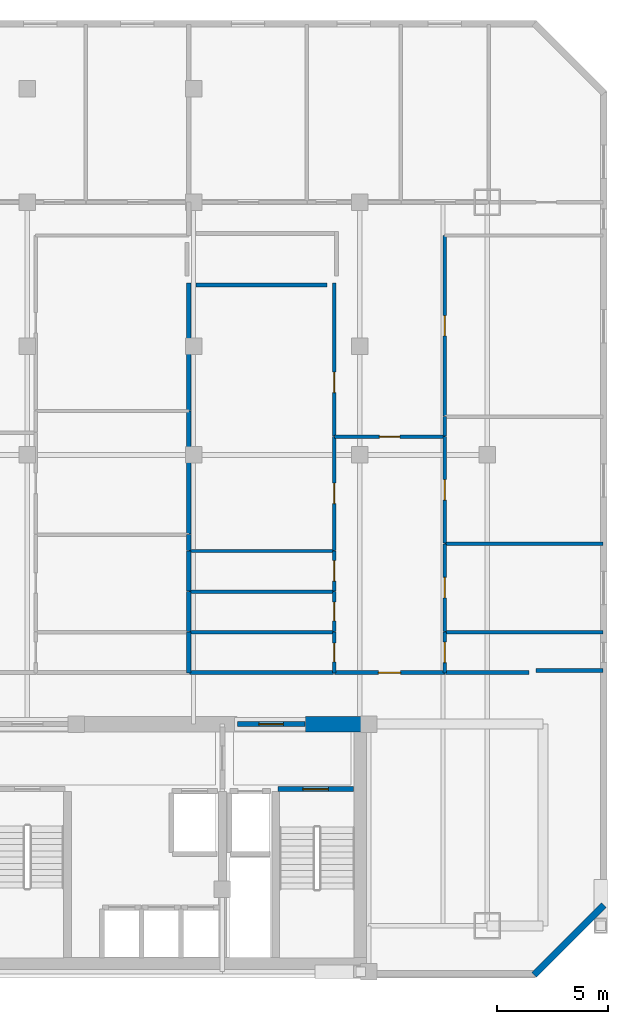
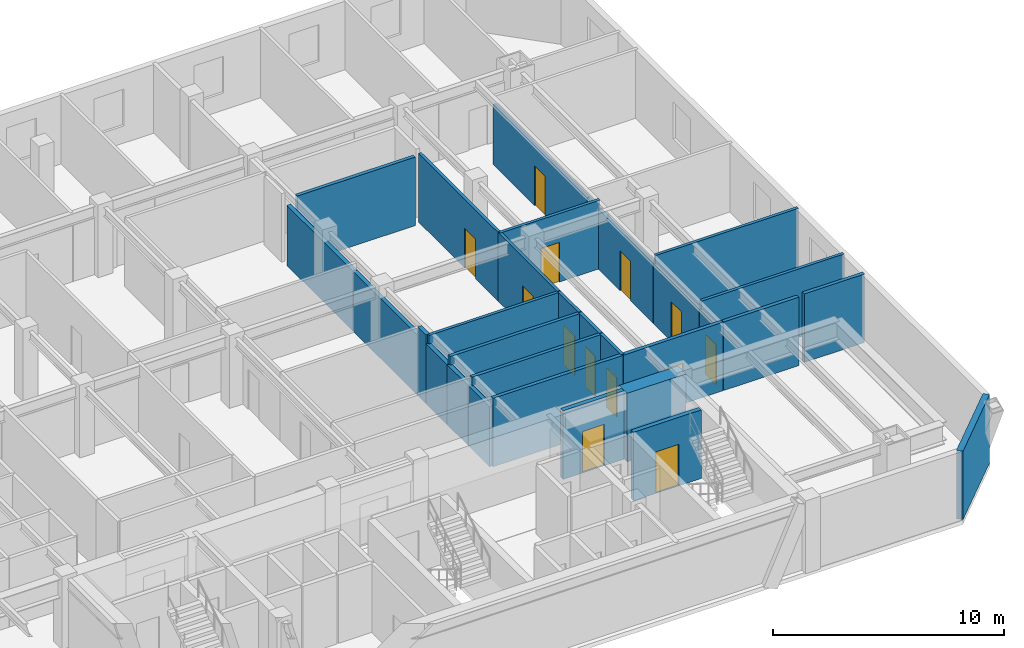
# One storey, part 5 of 9: 31 walls, 13 doors, 13 openings.
"""IFC4 building model written with IfcOpenShell, lengths in metres."""

from ifc_helpers import new_model, si_unit, direction, frame, frame_2d, origin, place, context, subcontext, project, spatial, rectangle, extrude, material, layer, layer_set, type_object, element, fill, save


model = new_model("IFC4")

# Units and contexts
model_context = context("Model", 3, precision=1e-05, world=origin(), true_north=direction((0.0, 1.0)))
body_context = subcontext(model_context, "Body", "Model", "MODEL_VIEW")
ifc_project = project(units=[si_unit("LENGTHUNIT", "METRE"), si_unit("AREAUNIT", "SQUARE_METRE"), si_unit("VOLUMEUNIT", "CUBIC_METRE"), si_unit("PLANEANGLEUNIT", "RADIAN"), si_unit("MASSUNIT", "GRAM", prefix="KILO")], contexts=[model_context])

# Site, building, storey
site_placement = place(None, origin())
site = spatial("IfcSite", under=ifc_project, at=site_placement, CompositionType="ELEMENT")
building_placement = place(site_placement, origin())
building = spatial("IfcBuilding", under=site, at=building_placement, Name="Ventersveld Concourse Tower", CompositionType="ELEMENT")
storey_placement = place(building_placement, frame((0.0, 0.0, 152.89990234375)))
storey = spatial("IfcBuildingStorey", under=building, at=storey_placement, Name="L37", CompositionType="ELEMENT", Elevation=152.89990234375)

# Wall
ifc_material_1 = material(Name="Concrete C60/75", Category="concrete")
ifc_layer_1 = layer(ifc_material_1, 0.699951171875)
ifc_layer_set_1 = layer_set([ifc_layer_1], Name="Concrete C60/75")
wall_type_1 = type_object("IfcWallType", Name="WL-CORE-700", PredefinedType="SHEAR", material=ifc_layer_set_1)
wall_1_placement = place(storey_placement, frame((41.300048828125, 11.449951171875, 0.0), z_axis=(0.0, 0.0, 1.0), x_axis=(1.0, 0.0, 0.0)))
element("IfcWall", 1, at=wall_1_placement, inside=storey, type_object=wall_type_1, Name="L37 Rear Core North Shear Wall NE", PredefinedType="SHEAR", context=body_context, shape_type="SweptSolid", body=[
    extrude(rectangle(XDim=2.949951171875, YDim=0.699951171875, at=frame_2d((1.47509765625, 0.0))), origin(), (0.0, 0.0, 1.0), 3.630126953125),
])

# Wall, opening, door
ifc_material_2 = material(Name="Fire-rated autoclaved aerated masonry blockwork", Category="masonry")
ifc_layer_2 = layer(ifc_material_2, 0.179931640625)
ifc_layer_set_2 = layer_set([ifc_layer_2], Name="Fire-rated autoclaved aerated masonry blockwork")
wall_type_2 = type_object("IfcWallType", Name="WL-CORR-180", PredefinedType="PARTITIONING", material=ifc_layer_set_2)
wall_2_placement = place(storey_placement, frame((42.598388671875, 13.77001953125, 0.0), z_axis=(0.0, 0.0, 1.0), x_axis=(1.0, 0.0, 0.0)))
wall_2 = element("IfcWall", 2, at=wall_2_placement, inside=storey, type_object=wall_type_2, Name="L37 Interior Partition SP-L37-COR-SP-L37-37N2-FOY", PredefinedType="PARTITIONING", context=body_context, shape_type="SweptSolid", body=[
    extrude(rectangle(XDim=4.989990234375, YDim=0.179931640625, at=frame_2d((2.4951171875, 0.0))), origin(), (0.0, 0.0, 1.0), 3.630126953125),
])
opening_1_placement = place(wall_2_placement, frame((1.9951171875, 0.0, 0.0)))
opening_1 = element("IfcOpeningElement", 3, at=opening_1_placement, cuts=wall_2, Name="Opening FD3", PredefinedType="OPENING", context=body_context, shape_type="SweptSolid", body=[
    extrude(rectangle(XDim=1.0, YDim=2.14990234375, at=frame_2d((0.5, 1.074951171875))), frame((0.0, 0.10009765625, 0.0), z_axis=(0.0, -1.0, 0.0), x_axis=(1.0, 0.0, 0.0)), (0.0, 0.0, 1.0), 0.199951171875),
])
ifc_material_3 = material(Name="Solid-core hardwood veneer timber", Category="wood")
door_type_1 = type_object("IfcDoorType", Name="DR-FLAT-100", OperationType="NOTDEFINED", PredefinedType="DOOR", material=ifc_material_3)
door_1_placement = place(opening_1_placement, origin())
door_1 = element("IfcDoor", 4, at=door_1_placement, inside=storey, type_object=door_type_1, Name="L37 Interior Door SP-L37-COR to SP-L37-37N2-FOY (FD-L37-1812)", OperationType="SINGLE_SWING_RIGHT", OverallHeight=2.14990234375, OverallWidth=1.0, PredefinedType="DOOR", context=body_context, shape_type="SweptSolid", body=[
    extrude(rectangle(XDim=1.0, YDim=2.14990234375, at=frame_2d((0.5, 1.074951171875))), frame((0.0, 0.02490234375, 0.0), z_axis=(0.0, -1.0, 0.0), x_axis=(1.0, 0.0, 0.0)), (0.0, 0.0, 1.0), 0.050048828125),
])
fill(opening_1, door_1)

# Walls
wall_3_placement = place(storey_placement, frame((36.077392578125, 13.77001953125, 0.0), z_axis=(0.0, 0.0, 1.0), x_axis=(1.0, 0.0, 0.0)))
element("IfcWall", 5, at=wall_3_placement, inside=storey, type_object=wall_type_2, Name="L37 Interior Partition SP-L37-COR-SP-L37-37N2-BATH", PredefinedType="PARTITIONING", context=body_context, shape_type="SweptSolid", body=[
    extrude(rectangle(XDim=6.490966796875, YDim=0.179931640625, at=frame_2d((3.24560546875, 0.0))), origin(), (0.0, 0.0, 1.0), 3.630126953125),
])
wall_4_placement = place(storey_placement, frame((47.618408203125, 13.77001953125, 0.0), z_axis=(0.0, 0.0, 1.0), x_axis=(1.0, 0.0, 0.0)))
element("IfcWall", 6, at=wall_4_placement, inside=storey, type_object=wall_type_2, Name="L37 Interior Partition SP-L37-COR-SP-L37-37N2-KIT", PredefinedType="PARTITIONING", context=body_context, shape_type="SweptSolid", body=[
    extrude(rectangle(XDim=3.776611328125, YDim=0.179931640625, at=frame_2d((1.88818359375, 0.0))), origin(), (0.0, 0.0, 1.0), 3.630126953125),
])
wall_5_placement = place(storey_placement, frame((36.3671875, 31.260498046875, 0.0), z_axis=(0.0, 0.0, 1.0), x_axis=(1.0, 0.0, 0.0)))
element("IfcWall", 7, at=wall_5_placement, inside=storey, type_object=wall_type_2, Name="L37 Room Enclosure Wall SP-L37-37N2-DENL", PredefinedType="PARTITIONING", context=body_context, shape_type="SweptSolid", body=[
    extrude(rectangle(XDim=5.9111328125, YDim=0.179931640625, at=frame_2d((2.95556640625, 0.0))), origin(), (0.0, 0.0, 1.0), 3.630126953125),
])
wall_6_placement = place(storey_placement, frame((54.7275390625, 13.860107421875, 0.0), z_axis=(0.0, 0.0, 1.0), x_axis=(-1.0, 0.0, 0.0)))
element("IfcWall", 8, at=wall_6_placement, inside=storey, type_object=wall_type_2, Name="L37 Room Enclosure Wall SP-L37-37N2-KIT", PredefinedType="PARTITIONING", context=body_context, shape_type="SweptSolid", body=[
    extrude(rectangle(XDim=3.017578125, YDim=0.179931640625, at=frame_2d((1.5087890625, 0.0))), origin(), (0.0, 0.0, 1.0), 3.630126953125),
])
ifc_layer_3 = layer(ifc_material_2, 0.199951171875)
ifc_layer_set_3 = layer_set([ifc_layer_3], Name="Fire-rated autoclaved aerated masonry blockwork")
wall_type_3 = type_object("IfcWallType", Name="WL-DEMISE-200", PredefinedType="PARTITIONING", material=ifc_layer_set_3)
wall_7_placement = place(storey_placement, frame((36.042236328125, 13.764892578125, 0.0), z_axis=(0.0, 0.0, 1.0), x_axis=(0.0, 1.0, 0.0)))
element("IfcWall", 9, at=wall_7_placement, inside=storey, type_object=wall_type_3, Name="L37 Interior Partition SP-L37-37N1-KIT-SP-L37-37N2-BATH", PredefinedType="PARTITIONING", context=body_context, shape_type="SweptSolid", body=[
    extrude(rectangle(XDim=1.840087890625, YDim=0.199951171875, at=frame_2d((0.919921875, 0.0))), origin(), (0.0, 0.0, 1.0), 3.1767578125),
])
wall_8_placement = place(storey_placement, frame((36.042236328125, 15.635009765625, 0.0), z_axis=(0.0, 0.0, 1.0), x_axis=(0.0, 1.0, 0.0)))
element("IfcWall", 10, at=wall_8_placement, inside=storey, type_object=wall_type_3, Name="L37 Interior Partition SP-L37-37N1-MEDR1-SP-L37-37N2-PWDL2", PredefinedType="PARTITIONING", context=body_context, shape_type="SweptSolid", body=[
    extrude(rectangle(XDim=1.800048828125, YDim=0.199951171875, at=frame_2d((0.89990234375, 0.0))), origin(), (0.0, 0.0, 1.0), 3.1767578125),
])
wall_9_placement = place(storey_placement, frame((36.042236328125, 17.465087890625, 0.0), z_axis=(0.0, 0.0, 1.0), x_axis=(0.0, 1.0, 0.0)))
element("IfcWall", 11, at=wall_9_placement, inside=storey, type_object=wall_type_3, Name="L37 Interior Partition SP-L37-37N1-MEDR1-SP-L37-37N2-PANL0", PredefinedType="PARTITIONING", context=body_context, shape_type="SweptSolid", body=[
    extrude(rectangle(XDim=1.7998046875, YDim=0.199951171875, at=frame_2d((0.89990234375, 0.0))), origin(), (0.0, 0.0, 1.0), 3.1767578125),
])
wall_10_placement = place(storey_placement, frame((36.042236328125, 19.294921875, 0.0), z_axis=(0.0, 0.0, 1.0), x_axis=(0.0, 1.0, 0.0)))
element("IfcWall", 12, at=wall_10_placement, inside=storey, type_object=wall_type_3, Name="L37 Interior Partition SP-L37-37N1-MEDR1-SP-L37-37N2-DENL", PredefinedType="PARTITIONING", context=body_context, shape_type="SweptSolid", body=[
    extrude(rectangle(XDim=0.706298828125, YDim=0.199951171875, at=frame_2d((0.35302734375, 0.0))), origin(), (0.0, 0.0, 1.0), 3.630126953125),
])
wall_11_placement = place(storey_placement, frame((36.042236328125, 20.03125, 0.0), z_axis=(0.0, 0.0, 1.0), x_axis=(0.0, 1.0, 0.0)))
element("IfcWall", 13, at=wall_11_placement, inside=storey, type_object=wall_type_3, Name="L37 Interior Partition SP-L37-37N1-DENS-SP-L37-37N2-DENL", PredefinedType="PARTITIONING", context=body_context, shape_type="SweptSolid", body=[
    extrude(rectangle(XDim=5.55029296875, YDim=0.199951171875, at=frame_2d((2.775146484375, 0.0))), origin(), (0.0, 0.0, 1.0), 3.1767578125),
])
wall_12_placement = place(storey_placement, frame((36.042236328125, 25.611572265625, 0.0), z_axis=(0.0, 0.0, 1.0), x_axis=(0.0, 1.0, 0.0)))
element("IfcWall", 14, at=wall_12_placement, inside=storey, type_object=wall_type_3, Name="L37 Interior Partition SP-L37-37N1-DENS2-SP-L37-37N2-DENL", PredefinedType="PARTITIONING", context=body_context, shape_type="SweptSolid", body=[
    extrude(rectangle(XDim=5.743896484375, YDim=0.199951171875, at=frame_2d((2.8720703125, 0.0))), origin(), (0.0, 0.0, 1.0), 3.1767578125),
])

# Wall, opening, door
ifc_layer_4 = layer(ifc_material_2, 0.219970703125)
ifc_layer_set_4 = layer_set([ifc_layer_4], Name="Fire-rated autoclaved aerated masonry blockwork")
wall_type_4 = type_object("IfcWallType", Name="WL-HOIST-220", PredefinedType="SOLIDWALL", material=ifc_layer_set_4)
wall_13_placement = place(storey_placement, frame((40.06005859375, 8.52001953125, 0.0), z_axis=(0.0, 0.0, 1.0), x_axis=(1.0, 0.0, 0.0)))
wall_13 = element("IfcWall", 15, at=wall_13_placement, inside=storey, type_object=wall_type_4, Name="L37 Escape Stair ST02 Fire Wall", PredefinedType="SOLIDWALL", context=body_context, shape_type="SweptSolid", body=[
    extrude(rectangle(XDim=3.39990234375, YDim=0.219970703125, at=frame_2d((1.699951171875, 0.0))), origin(), (0.0, 0.0, 1.0), 3.630126953125),
])
opening_2_placement = place(wall_13_placement, frame((1.125, 0.0, 0.0)))
opening_2 = element("IfcOpeningElement", 16, at=opening_2_placement, cuts=wall_13, Name="Opening FD1", PredefinedType="OPENING", context=body_context, shape_type="SweptSolid", body=[
    extrude(rectangle(XDim=1.14990234375, YDim=2.199951171875, at=frame_2d((0.574951171875, 1.10009765625))), frame((0.0, 0.1201171875, 0.0), z_axis=(0.0, -1.0, 0.0), x_axis=(1.0, 0.0, 0.0)), (0.0, 0.0, 1.0), 0.239990234375),
])
ifc_material_4 = material(Name="Galvanised painted steel", Category="steel")
door_type_2 = type_object("IfcDoorType", Name="DR-STAIR-115", OperationType="NOTDEFINED", PredefinedType="DOOR", material=ifc_material_4)
door_2_placement = place(opening_2_placement, origin())
door_2 = element("IfcDoor", 17, at=door_2_placement, inside=storey, type_object=door_type_2, Name="L37 Escape Stair Door ST02 (SD-L37-1802)", OperationType="SINGLE_SWING_RIGHT", OverallHeight=2.199951171875, OverallWidth=1.14990234375, PredefinedType="DOOR", context=body_context, shape_type="SweptSolid", body=[
    extrude(rectangle(XDim=1.14990234375, YDim=2.199951171875, at=frame_2d((0.574951171875, 1.10009765625))), frame((0.0, 0.02490234375, 0.0), z_axis=(0.0, -1.0, 0.0), x_axis=(1.0, 0.0, 0.0)), (0.0, 0.0, 1.0), 0.050048828125),
])
fill(opening_2, door_2)

wall_14_placement = place(storey_placement, frame((38.22998046875, 11.449951171875, 0.0), z_axis=(0.0, 0.0, 1.0), x_axis=(1.0, 0.0, 0.0)))
wall_14 = element("IfcWall", 18, at=wall_14_placement, inside=storey, type_object=wall_type_4, Name="L37 Core North Fire Portal FFLE-OUT", PredefinedType="SOLIDWALL", context=body_context, shape_type="SweptSolid", body=[
    extrude(rectangle(XDim=3.0400390625, YDim=0.219970703125, at=frame_2d((1.52001953125, 0.0))), origin(), (0.0, 0.0, 1.0), 3.630126953125),
])
opening_3_placement = place(wall_14_placement, frame((0.969970703125, 0.0, 0.0)))
opening_3 = element("IfcOpeningElement", 19, at=opening_3_placement, cuts=wall_14, Name="Opening FD2", PredefinedType="OPENING", context=body_context, shape_type="SweptSolid", body=[
    extrude(rectangle(XDim=1.10009765625, YDim=2.199951171875, at=frame_2d((0.550048828125, 1.10009765625))), frame((0.0, 0.1201171875, 0.0), z_axis=(0.0, -1.0, 0.0), x_axis=(1.0, 0.0, 0.0)), (0.0, 0.0, 1.0), 0.239990234375),
])
door_type_3 = type_object("IfcDoorType", Name="DR-FFL-110", OperationType="NOTDEFINED", PredefinedType="DOOR", material=ifc_material_4)
door_3_placement = place(opening_3_placement, origin())
door_3 = element("IfcDoor", 20, at=door_3_placement, inside=storey, type_object=door_type_3, Name="L37 Core Lobby Fire Door FFLE-OUT (FD-L37-1808)", OperationType="SINGLE_SWING_LEFT", OverallHeight=2.199951171875, OverallWidth=1.10009765625, PredefinedType="DOOR", context=body_context, shape_type="SweptSolid", body=[
    extrude(rectangle(XDim=1.10009765625, YDim=2.199951171875, at=frame_2d((0.550048828125, 1.10009765625))), frame((0.0, 0.02490234375, 0.0), z_axis=(0.0, -1.0, 0.0), x_axis=(1.0, 0.0, 0.0)), (0.0, 0.0, 1.0), 0.050048828125),
])
fill(opening_3, door_3)

ifc_material_5 = material(Name="Autoclaved aerated masonry blockwork", Category="masonry")
ifc_layer_5 = layer(ifc_material_5, 0.14990234375)
ifc_layer_set_5 = layer_set([ifc_layer_5], Name="Autoclaved aerated masonry blockwork")
wall_type_5 = type_object("IfcWallType", Name="WL-INT-150", PredefinedType="PARTITIONING", material=ifc_layer_set_5)
wall_15_placement = place(storey_placement, frame((42.598388671875, 24.42138671875, 0.0), z_axis=(0.0, 0.0, 1.0), x_axis=(1.0, 0.0, 0.0)))
wall_15 = element("IfcWall", 21, at=wall_15_placement, inside=storey, type_object=wall_type_5, Name="L37 Interior Partition SP-L37-37N2-FOY-SP-L37-37N2-LIV", PredefinedType="PARTITIONING", context=body_context, shape_type="SweptSolid", body=[
    extrude(rectangle(XDim=4.989990234375, YDim=0.14990234375, at=frame_2d((2.4951171875, 0.0))), origin(), (0.0, 0.0, 1.0), 3.630126953125),
])
opening_4_placement = place(wall_15_placement, frame((2.034912109375, 0.0, 0.0)))
opening_4 = element("IfcOpeningElement", 22, at=opening_4_placement, cuts=wall_15, Name="Opening ID1", PredefinedType="OPENING", context=body_context, shape_type="SweptSolid", body=[
    extrude(rectangle(XDim=0.919921875, YDim=2.10009765625, at=frame_2d((0.4599609375, 1.050048828125))), frame((0.0, 0.0849609375, 0.0), z_axis=(0.0, -1.0, 0.0), x_axis=(1.0, 0.0, 0.0)), (0.0, 0.0, 1.0), 0.169921875),
])
door_type_4 = type_object("IfcDoorType", Name="DR-ROOM-092", OperationType="NOTDEFINED", PredefinedType="DOOR", material=ifc_material_3)
door_4_placement = place(opening_4_placement, origin())
door_4 = element("IfcDoor", 23, at=door_4_placement, inside=storey, type_object=door_type_4, Name="L37 Interior Door SP-L37-37N2-FOY to SP-L37-37N2-LIV (D-L37-1836)", OperationType="SINGLE_SWING_RIGHT", OverallHeight=2.10009765625, OverallWidth=0.919921875, PredefinedType="DOOR", context=body_context, shape_type="SweptSolid", body=[
    extrude(rectangle(XDim=0.919921875, YDim=2.10009765625, at=frame_2d((0.4599609375, 1.050048828125))), frame((0.0, 0.02490234375, 0.0), z_axis=(0.0, -1.0, 0.0), x_axis=(1.0, 0.0, 0.0)), (0.0, 0.0, 1.0), 0.050048828125),
])
fill(opening_4, door_4)

wall_16_placement = place(storey_placement, frame((42.603271484375, 17.465087890625, 0.0), z_axis=(0.0, 0.0, 1.0), x_axis=(0.0, 1.0, 0.0)))
wall_16 = element("IfcWall", 24, at=wall_16_placement, inside=storey, type_object=wall_type_5, Name="L37 Interior Partition SP-L37-37N2-FOY-SP-L37-37N2-PANL0", PredefinedType="PARTITIONING", context=body_context, shape_type="SweptSolid", body=[
    extrude(rectangle(XDim=1.7998046875, YDim=0.14990234375, at=frame_2d((0.89990234375, 0.0))), origin(), (0.0, 0.0, 1.0), 3.630126953125),
])
opening_5_placement = place(wall_16_placement, frame((0.43994140625, 0.0, 0.0)))
opening_5 = element("IfcOpeningElement", 25, at=opening_5_placement, cuts=wall_16, Name="Opening ID1", PredefinedType="OPENING", context=body_context, shape_type="SweptSolid", body=[
    extrude(rectangle(XDim=0.919921875, YDim=2.10009765625, at=frame_2d((0.4599609375, 1.050048828125))), frame((0.0, 0.0849609375, 0.0), z_axis=(0.0, -1.0, 0.0), x_axis=(1.0, 0.0, 0.0)), (0.0, 0.0, 1.0), 0.169921875),
])
door_5_placement = place(opening_5_placement, origin())
door_5 = element("IfcDoor", 26, at=door_5_placement, inside=storey, type_object=door_type_4, Name="L37 Interior Door SP-L37-37N2-FOY to SP-L37-37N2-PANL0 (D-L37-1839)", OperationType="SINGLE_SWING_LEFT", OverallHeight=2.10009765625, OverallWidth=0.919921875, PredefinedType="DOOR", context=body_context, shape_type="SweptSolid", body=[
    extrude(rectangle(XDim=0.919921875, YDim=2.10009765625, at=frame_2d((0.4599609375, 1.050048828125))), frame((0.0, 0.02490234375, 0.0), z_axis=(0.0, -1.0, 0.0), x_axis=(1.0, 0.0, 0.0)), (0.0, 0.0, 1.0), 0.050048828125),
])
fill(opening_5, door_5)

wall_17_placement = place(storey_placement, frame((42.603271484375, 19.294921875, 0.0), z_axis=(0.0, 0.0, 1.0), x_axis=(0.0, 1.0, 0.0)))
wall_17 = element("IfcWall", 27, at=wall_17_placement, inside=storey, type_object=wall_type_5, Name="L37 Interior Partition SP-L37-37N2-FOY-SP-L37-37N2-DENL", PredefinedType="PARTITIONING", context=body_context, shape_type="SweptSolid", body=[
    extrude(rectangle(XDim=5.131591796875, YDim=0.14990234375, at=frame_2d((2.56591796875, 0.0))), origin(), (0.0, 0.0, 1.0), 3.630126953125),
])
opening_6_placement = place(wall_17_placement, frame((2.105712890625, 0.0, 0.0)))
opening_6 = element("IfcOpeningElement", 28, at=opening_6_placement, cuts=wall_17, Name="Opening ID1", PredefinedType="OPENING", context=body_context, shape_type="SweptSolid", body=[
    extrude(rectangle(XDim=0.919921875, YDim=2.10009765625, at=frame_2d((0.4599609375, 1.050048828125))), frame((0.0, 0.0849609375, 0.0), z_axis=(0.0, -1.0, 0.0), x_axis=(1.0, 0.0, 0.0)), (0.0, 0.0, 1.0), 0.169921875),
])
door_6_placement = place(opening_6_placement, origin())
door_6 = element("IfcDoor", 29, at=door_6_placement, inside=storey, type_object=door_type_4, Name="L37 Interior Door SP-L37-37N2-FOY to SP-L37-37N2-DENL (D-L37-1840)", OperationType="SINGLE_SWING_RIGHT", OverallHeight=2.10009765625, OverallWidth=0.919921875, PredefinedType="DOOR", context=body_context, shape_type="SweptSolid", body=[
    extrude(rectangle(XDim=0.919921875, YDim=2.10009765625, at=frame_2d((0.4599609375, 1.050048828125))), frame((0.0, 0.02490234375, 0.0), z_axis=(0.0, -1.0, 0.0), x_axis=(1.0, 0.0, 0.0)), (0.0, 0.0, 1.0), 0.050048828125),
])
fill(opening_6, door_6)

wall_18_placement = place(storey_placement, frame((47.583251953125, 13.764892578125, 0.0), z_axis=(0.0, 0.0, 1.0), x_axis=(0.0, 1.0, 0.0)))
wall_18 = element("IfcWall", 30, at=wall_18_placement, inside=storey, type_object=wall_type_5, Name="L37 Interior Partition SP-L37-37N2-FOY-SP-L37-37N2-KIT", PredefinedType="PARTITIONING", context=body_context, shape_type="SweptSolid", body=[
    extrude(rectangle(XDim=1.840087890625, YDim=0.14990234375, at=frame_2d((0.919921875, 0.0))), origin(), (0.0, 0.0, 1.0), 3.1767578125),
])
opening_7_placement = place(wall_18_placement, frame((0.4599609375, 0.0, 0.0)))
opening_7 = element("IfcOpeningElement", 31, at=opening_7_placement, cuts=wall_18, Name="Opening ID1", PredefinedType="OPENING", context=body_context, shape_type="SweptSolid", body=[
    extrude(rectangle(XDim=0.919921875, YDim=2.10009765625, at=frame_2d((0.4599609375, 1.050048828125))), frame((0.0, 0.0849609375, 0.0), z_axis=(0.0, -1.0, 0.0), x_axis=(1.0, 0.0, 0.0)), (0.0, 0.0, 1.0), 0.169921875),
])
door_7_placement = place(opening_7_placement, origin())
door_7 = element("IfcDoor", 32, at=door_7_placement, inside=storey, type_object=door_type_4, Name="L37 Interior Door SP-L37-37N2-FOY to SP-L37-37N2-KIT (D-L37-1841)", OperationType="SINGLE_SWING_LEFT", OverallHeight=2.10009765625, OverallWidth=0.919921875, PredefinedType="DOOR", context=body_context, shape_type="SweptSolid", body=[
    extrude(rectangle(XDim=0.919921875, YDim=2.10009765625, at=frame_2d((0.4599609375, 1.050048828125))), frame((0.0, 0.02490234375, 0.0), z_axis=(0.0, -1.0, 0.0), x_axis=(1.0, 0.0, 0.0)), (0.0, 0.0, 1.0), 0.050048828125),
])
fill(opening_7, door_7)

wall_19_placement = place(storey_placement, frame((47.583251953125, 15.635009765625, 0.0), z_axis=(0.0, 0.0, 1.0), x_axis=(0.0, 1.0, 0.0)))
wall_19 = element("IfcWall", 33, at=wall_19_placement, inside=storey, type_object=wall_type_5, Name="L37 Interior Partition SP-L37-37N2-FOY-SP-L37-37N2-MEDR1", PredefinedType="PARTITIONING", context=body_context, shape_type="SweptSolid", body=[
    extrude(rectangle(XDim=3.951904296875, YDim=0.14990234375, at=frame_2d((1.97607421875, 0.0))), origin(), (0.0, 0.0, 1.0), 3.1767578125),
])
opening_8_placement = place(wall_19_placement, frame((1.51611328125, 0.0, 0.0)))
opening_8 = element("IfcOpeningElement", 34, at=opening_8_placement, cuts=wall_19, Name="Opening ID1", PredefinedType="OPENING", context=body_context, shape_type="SweptSolid", body=[
    extrude(rectangle(XDim=0.919921875, YDim=2.10009765625, at=frame_2d((0.4599609375, 1.050048828125))), frame((0.0, 0.0849609375, 0.0), z_axis=(0.0, -1.0, 0.0), x_axis=(1.0, 0.0, 0.0)), (0.0, 0.0, 1.0), 0.169921875),
])
door_8_placement = place(opening_8_placement, origin())
door_8 = element("IfcDoor", 35, at=door_8_placement, inside=storey, type_object=door_type_4, Name="L37 Interior Door SP-L37-37N2-FOY to SP-L37-37N2-MEDR1 (D-L37-1842)", OperationType="SINGLE_SWING_RIGHT", OverallHeight=2.10009765625, OverallWidth=0.919921875, PredefinedType="DOOR", context=body_context, shape_type="SweptSolid", body=[
    extrude(rectangle(XDim=0.919921875, YDim=2.10009765625, at=frame_2d((0.4599609375, 1.050048828125))), frame((0.0, 0.02490234375, 0.0), z_axis=(0.0, -1.0, 0.0), x_axis=(1.0, 0.0, 0.0)), (0.0, 0.0, 1.0), 0.050048828125),
])
fill(opening_8, door_8)

wall_20_placement = place(storey_placement, frame((47.583251953125, 19.616943359375, 0.0), z_axis=(0.0, 0.0, 1.0), x_axis=(0.0, 1.0, 0.0)))
wall_20 = element("IfcWall", 36, at=wall_20_placement, inside=storey, type_object=wall_type_5, Name="L37 Interior Partition SP-L37-37N2-FOY-SP-L37-37N2-DENS", PredefinedType="PARTITIONING", context=body_context, shape_type="SweptSolid", body=[
    extrude(rectangle(XDim=4.8095703125, YDim=0.14990234375, at=frame_2d((2.40478515625, 0.0))), origin(), (0.0, 0.0, 1.0), 3.1767578125),
])
opening_9_placement = place(wall_20_placement, frame((1.944580078125, 0.0, 0.0)))
opening_9 = element("IfcOpeningElement", 37, at=opening_9_placement, cuts=wall_20, Name="Opening ID1", PredefinedType="OPENING", context=body_context, shape_type="SweptSolid", body=[
    extrude(rectangle(XDim=0.919921875, YDim=2.10009765625, at=frame_2d((0.4599609375, 1.050048828125))), frame((0.0, 0.0849609375, 0.0), z_axis=(0.0, -1.0, 0.0), x_axis=(1.0, 0.0, 0.0)), (0.0, 0.0, 1.0), 0.169921875),
])
door_9_placement = place(opening_9_placement, origin())
door_9 = element("IfcDoor", 38, at=door_9_placement, inside=storey, type_object=door_type_4, Name="L37 Interior Door SP-L37-37N2-FOY to SP-L37-37N2-DENS (D-L37-1843)", OperationType="SINGLE_SWING_LEFT", OverallHeight=2.10009765625, OverallWidth=0.919921875, PredefinedType="DOOR", context=body_context, shape_type="SweptSolid", body=[
    extrude(rectangle(XDim=0.919921875, YDim=2.10009765625, at=frame_2d((0.4599609375, 1.050048828125))), frame((0.0, 0.02490234375, 0.0), z_axis=(0.0, -1.0, 0.0), x_axis=(1.0, 0.0, 0.0)), (0.0, 0.0, 1.0), 0.050048828125),
])
fill(opening_9, door_9)

wall_21_placement = place(storey_placement, frame((42.603271484375, 24.45654296875, 0.0), z_axis=(0.0, 0.0, 1.0), x_axis=(0.0, 1.0, 0.0)))
wall_21 = element("IfcWall", 39, at=wall_21_placement, inside=storey, type_object=wall_type_5, Name="L37 Interior Partition SP-L37-37N2-LIV-SP-L37-37N2-DENL", PredefinedType="PARTITIONING", context=body_context, shape_type="SweptSolid", body=[
    extrude(rectangle(XDim=6.89892578125, YDim=0.14990234375, at=frame_2d((3.449462890625, 0.0))), origin(), (0.0, 0.0, 1.0), 3.630126953125),
])
opening_10_placement = place(wall_21_placement, frame((1.95458984375, 0.0, 0.0)))
opening_10 = element("IfcOpeningElement", 40, at=opening_10_placement, cuts=wall_21, Name="Opening ID1", PredefinedType="OPENING", context=body_context, shape_type="SweptSolid", body=[
    extrude(rectangle(XDim=0.919921875, YDim=2.10009765625, at=frame_2d((0.4599609375, 1.050048828125))), frame((0.0, 0.0849609375, 0.0), z_axis=(0.0, -1.0, 0.0), x_axis=(1.0, 0.0, 0.0)), (0.0, 0.0, 1.0), 0.169921875),
])
door_10_placement = place(opening_10_placement, origin())
door_10 = element("IfcDoor", 41, at=door_10_placement, inside=storey, type_object=door_type_4, Name="L37 Interior Door SP-L37-37N2-LIV to SP-L37-37N2-DENL (D-L37-1844)", OperationType="SINGLE_SWING_RIGHT", OverallHeight=2.10009765625, OverallWidth=0.919921875, PredefinedType="DOOR", context=body_context, shape_type="SweptSolid", body=[
    extrude(rectangle(XDim=0.919921875, YDim=2.10009765625, at=frame_2d((0.4599609375, 1.050048828125))), frame((0.0, 0.02490234375, 0.0), z_axis=(0.0, -1.0, 0.0), x_axis=(1.0, 0.0, 0.0)), (0.0, 0.0, 1.0), 0.050048828125),
])
fill(opening_10, door_10)

# Wall
wall_22_placement = place(storey_placement, frame((47.583251953125, 24.45654296875, 0.0), z_axis=(0.0, 0.0, 1.0), x_axis=(0.0, 1.0, 0.0)))
element("IfcWall", 42, at=wall_22_placement, inside=storey, type_object=wall_type_5, Name="L37 Interior Partition SP-L37-37N2-LIV-SP-L37-37N2-DENS", PredefinedType="PARTITIONING", context=body_context, shape_type="SweptSolid", body=[
    extrude(rectangle(XDim=0.862060546875, YDim=0.14990234375, at=frame_2d((0.43115234375, 0.0))), origin(), (0.0, 0.0, 1.0), 3.1767578125),
])

# Wall, opening, door
wall_23_placement = place(storey_placement, frame((47.583251953125, 25.3486328125, 0.0), z_axis=(0.0, 0.0, 1.0), x_axis=(0.0, 1.0, 0.0)))
wall_23 = element("IfcWall", 43, at=wall_23_placement, inside=storey, type_object=wall_type_5, Name="L37 Interior Partition SP-L37-37N2-LIV-SP-L37-37N2-DENS2", PredefinedType="PARTITIONING", context=body_context, shape_type="SweptSolid", body=[
    extrude(rectangle(XDim=8.15625, YDim=0.14990234375, at=frame_2d((4.078125, 0.0))), origin(), (0.0, 0.0, 1.0), 3.1767578125),
])
opening_11_placement = place(wall_23_placement, frame((3.6181640625, 0.0, 0.0)))
opening_11 = element("IfcOpeningElement", 44, at=opening_11_placement, cuts=wall_23, Name="Opening ID1", PredefinedType="OPENING", context=body_context, shape_type="SweptSolid", body=[
    extrude(rectangle(XDim=0.919921875, YDim=2.10009765625, at=frame_2d((0.4599609375, 1.050048828125))), frame((0.0, 0.0849609375, 0.0), z_axis=(0.0, -1.0, 0.0), x_axis=(1.0, 0.0, 0.0)), (0.0, 0.0, 1.0), 0.169921875),
])
door_11_placement = place(opening_11_placement, origin())
door_11 = element("IfcDoor", 45, at=door_11_placement, inside=storey, type_object=door_type_4, Name="L37 Interior Door SP-L37-37N2-LIV to SP-L37-37N2-DENS2 (D-L37-1845)", OperationType="SINGLE_SWING_LEFT", OverallHeight=2.10009765625, OverallWidth=0.919921875, PredefinedType="DOOR", context=body_context, shape_type="SweptSolid", body=[
    extrude(rectangle(XDim=0.919921875, YDim=2.10009765625, at=frame_2d((0.4599609375, 1.050048828125))), frame((0.0, 0.02490234375, 0.0), z_axis=(0.0, -1.0, 0.0), x_axis=(1.0, 0.0, 0.0)), (0.0, 0.0, 1.0), 0.050048828125),
])
fill(opening_11, door_11)

# Walls
wall_24_placement = place(storey_placement, frame((36.037353515625, 19.260009765625, 0.0), z_axis=(0.0, 0.0, 1.0), x_axis=(1.0, 0.0, 0.0)))
element("IfcWall", 46, at=wall_24_placement, inside=storey, type_object=wall_type_5, Name="L37 Interior Partition SP-L37-37N2-PANL0-SP-L37-37N2-DENL", PredefinedType="PARTITIONING", context=body_context, shape_type="SweptSolid", body=[
    extrude(rectangle(XDim=6.571044921875, YDim=0.14990234375, at=frame_2d((3.28564453125, 0.0))), origin(), (0.0, 0.0, 1.0), 3.630126953125),
])
for number, where, z_axis, x_axis, name in (
    (47, (47.578369140625, 15.60009765625, 0.0), (0.0, 0.0, 1.0), (1.0, 0.0, 0.0), "L37 Interior Partition SP-L37-37N2-KIT-SP-L37-37N2-MEDR1"),
    (48, (47.578369140625, 19.58203125, 0.0), (0.0, 0.0, 1.0), (1.0, 0.0, 0.0), "L37 Interior Partition SP-L37-37N2-MEDR1-SP-L37-37N2-DENS"),
):
    element("IfcWall", number, at=place(storey_placement, frame(where, z_axis=z_axis, x_axis=x_axis)), inside=storey, type_object=wall_type_5, Name=name, PredefinedType="PARTITIONING", context=body_context, shape_type="SweptSolid", body=[
        extrude(rectangle(XDim=7.149169921875, YDim=0.14990234375, at=frame_2d((3.57470703125, 0.0))), origin(), (0.0, 0.0, 1.0), 3.630126953125),
    ])
ifc_material_6 = material(Name="Precast concrete C45/55", Category="concrete")
ifc_layer_6 = layer(ifc_material_6, 0.300048828125)
ifc_layer_set_6 = layer_set([ifc_layer_6], Name="Precast concrete C45/55")
wall_type_6 = type_object("IfcWallType", Name="WL-PREC-300", PredefinedType="SOLIDWALL", material=ifc_layer_set_6)
wall_25_placement = place(storey_placement, frame((51.622314453125, 0.134521484375, 0.0), z_axis=(0.0, 0.0, 1.0), x_axis=(0.707106781187, 0.707106781187, 0.0)))
element("IfcWall", 49, at=wall_25_placement, inside=storey, type_object=wall_type_6, Name="L37 Highveld Precast Facade Wall E02", PredefinedType="SOLIDWALL", context=body_context, shape_type="SweptSolid", body=[
    extrude(rectangle(XDim=4.4453125, YDim=0.300048828125, at=frame_2d((2.22265625, 0.0))), origin(), (0.0, 0.0, 1.0), 3.630126953125),
])

# Wall, opening, door
ifc_layer_7 = layer(ifc_material_5, 0.1650390625)
ifc_layer_set_7 = layer_set([ifc_layer_7], Name="Autoclaved aerated masonry blockwork")
wall_type_7 = type_object("IfcWallType", Name="WL-WET-165", PredefinedType="PLUMBINGWALL", material=ifc_layer_set_7)
wall_26_placement = place(storey_placement, frame((42.603271484375, 13.764892578125, 0.0), z_axis=(0.0, 0.0, 1.0), x_axis=(0.0, 1.0, 0.0)))
wall_26 = element("IfcWall", 50, at=wall_26_placement, inside=storey, type_object=wall_type_7, Name="L37 Interior Partition SP-L37-37N2-FOY-SP-L37-37N2-BATH", PredefinedType="PLUMBINGWALL", context=body_context, shape_type="SweptSolid", body=[
    extrude(rectangle(XDim=1.840087890625, YDim=0.1650390625, at=frame_2d((0.919921875, 0.0))), origin(), (0.0, 0.0, 1.0), 3.630126953125),
])
opening_12_placement = place(wall_26_placement, frame((0.4951171875, 0.0, 0.0)))
opening_12 = element("IfcOpeningElement", 51, at=opening_12_placement, cuts=wall_26, Name="Opening ID2", PredefinedType="OPENING", context=body_context, shape_type="SweptSolid", body=[
    extrude(rectangle(XDim=0.85009765625, YDim=2.10009765625, at=frame_2d((0.425048828125, 1.050048828125))), frame((0.0, 0.092529296875, 0.0), z_axis=(0.0, -1.0, 0.0), x_axis=(1.0, 0.0, 0.0)), (0.0, 0.0, 1.0), 0.18505859375),
])
door_type_5 = type_object("IfcDoorType", Name="DR-BATH-085", OperationType="NOTDEFINED", PredefinedType="DOOR", material=ifc_material_3)
door_12_placement = place(opening_12_placement, origin())
door_12 = element("IfcDoor", 52, at=door_12_placement, inside=storey, type_object=door_type_5, Name="L37 Interior Door SP-L37-37N2-FOY to SP-L37-37N2-BATH (D-L37-1837)", OperationType="SINGLE_SWING_LEFT", OverallHeight=2.10009765625, OverallWidth=0.85009765625, PredefinedType="DOOR", context=body_context, shape_type="SweptSolid", body=[
    extrude(rectangle(XDim=0.85009765625, YDim=2.10009765625, at=frame_2d((0.425048828125, 1.050048828125))), frame((0.0, 0.02490234375, 0.0), z_axis=(0.0, -1.0, 0.0), x_axis=(1.0, 0.0, 0.0)), (0.0, 0.0, 1.0), 0.050048828125),
])
fill(opening_12, door_12)

wall_27_placement = place(storey_placement, frame((42.603271484375, 15.635009765625, 0.0), z_axis=(0.0, 0.0, 1.0), x_axis=(0.0, 1.0, 0.0)))
wall_27 = element("IfcWall", 53, at=wall_27_placement, inside=storey, type_object=wall_type_7, Name="L37 Interior Partition SP-L37-37N2-FOY-SP-L37-37N2-PWDL2", PredefinedType="PLUMBINGWALL", context=body_context, shape_type="SweptSolid", body=[
    extrude(rectangle(XDim=1.800048828125, YDim=0.1650390625, at=frame_2d((0.89990234375, 0.0))), origin(), (0.0, 0.0, 1.0), 3.630126953125),
])
opening_13_placement = place(wall_27_placement, frame((0.47509765625, 0.0, 0.0)))
opening_13 = element("IfcOpeningElement", 54, at=opening_13_placement, cuts=wall_27, Name="Opening ID2", PredefinedType="OPENING", context=body_context, shape_type="SweptSolid", body=[
    extrude(rectangle(XDim=0.85009765625, YDim=2.10009765625, at=frame_2d((0.425048828125, 1.050048828125))), frame((0.0, 0.092529296875, 0.0), z_axis=(0.0, -1.0, 0.0), x_axis=(1.0, 0.0, 0.0)), (0.0, 0.0, 1.0), 0.18505859375),
])
door_13_placement = place(opening_13_placement, origin())
door_13 = element("IfcDoor", 55, at=door_13_placement, inside=storey, type_object=door_type_5, Name="L37 Interior Door SP-L37-37N2-FOY to SP-L37-37N2-PWDL2 (D-L37-1838)", OperationType="SINGLE_SWING_RIGHT", OverallHeight=2.10009765625, OverallWidth=0.85009765625, PredefinedType="DOOR", context=body_context, shape_type="SweptSolid", body=[
    extrude(rectangle(XDim=0.85009765625, YDim=2.10009765625, at=frame_2d((0.425048828125, 1.050048828125))), frame((0.0, 0.02490234375, 0.0), z_axis=(0.0, -1.0, 0.0), x_axis=(1.0, 0.0, 0.0)), (0.0, 0.0, 1.0), 0.050048828125),
])
fill(opening_13, door_13)

# Walls
wall_28_placement = place(storey_placement, frame((36.077392578125, 15.60009765625, 0.0), z_axis=(0.0, 0.0, 1.0), x_axis=(1.0, 0.0, 0.0)))
element("IfcWall", 56, at=wall_28_placement, inside=storey, type_object=wall_type_7, Name="L37 Interior Partition SP-L37-37N2-BATH-SP-L37-37N2-PWDL2", PredefinedType="PLUMBINGWALL", context=body_context, shape_type="SweptSolid", body=[
    extrude(rectangle(XDim=6.531005859375, YDim=0.1650390625, at=frame_2d((3.265625, 0.0))), origin(), (0.0, 0.0, 1.0), 3.630126953125),
])
wall_29_placement = place(storey_placement, frame((36.037353515625, 17.429931640625, 0.0), z_axis=(0.0, 0.0, 1.0), x_axis=(1.0, 0.0, 0.0)))
element("IfcWall", 57, at=wall_29_placement, inside=storey, type_object=wall_type_7, Name="L37 Interior Partition SP-L37-37N2-PWDL2-SP-L37-37N2-PANL0", PredefinedType="PLUMBINGWALL", context=body_context, shape_type="SweptSolid", body=[
    extrude(rectangle(XDim=6.571044921875, YDim=0.1650390625, at=frame_2d((3.28564453125, 0.0))), origin(), (0.0, 0.0, 1.0), 3.630126953125),
])

save(model, "model.ifc")
